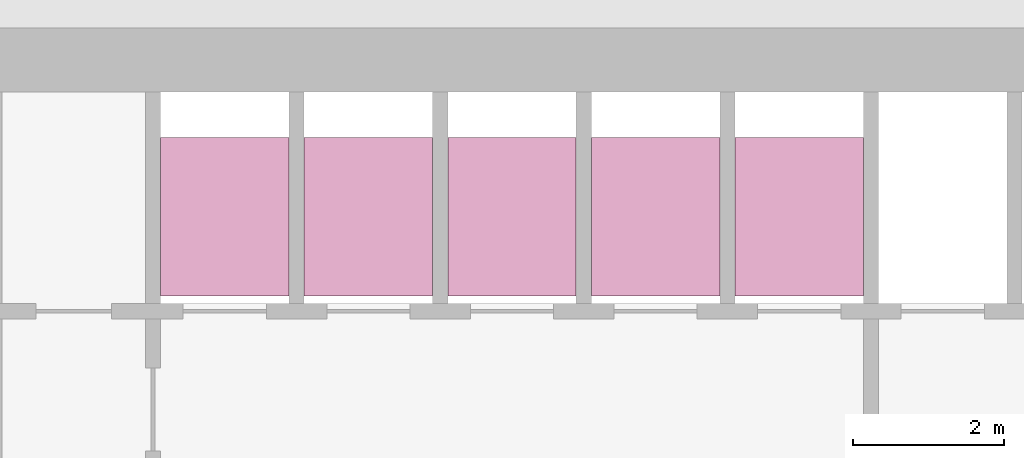
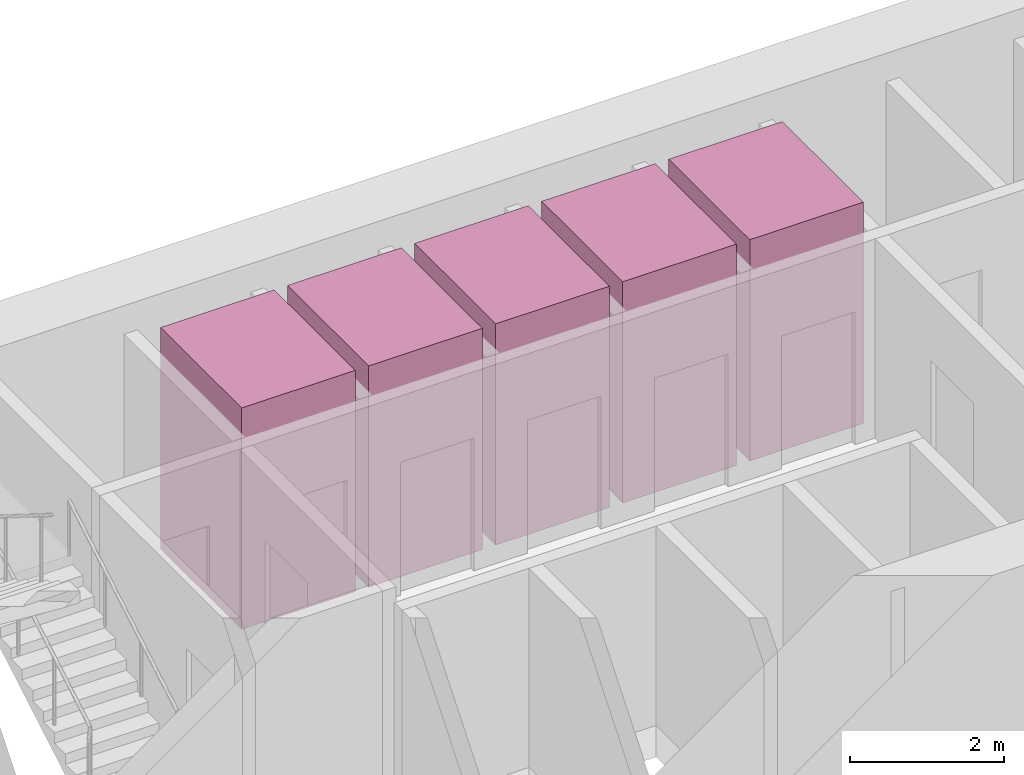
# One storey, part 14 of 14: 5 transport elements.
"""IFC4 building model written with IfcOpenShell, lengths in metres."""

from ifc_helpers import new_model, si_unit, direction, frame, origin, origin_2d, place, context, subcontext, project, spatial, rectangle, extrude, material, type_object, element, save


model = new_model("IFC4")

# Units and contexts
model_context = context("Model", 3, precision=1e-05, world=origin(), true_north=direction((0.0, 1.0)))
body_context = subcontext(model_context, "Body", "Model", "MODEL_VIEW")
ifc_project = project(units=[si_unit("LENGTHUNIT", "METRE"), si_unit("AREAUNIT", "SQUARE_METRE"), si_unit("VOLUMEUNIT", "CUBIC_METRE"), si_unit("PLANEANGLEUNIT", "RADIAN"), si_unit("MASSUNIT", "GRAM", prefix="KILO")], contexts=[model_context])

# Site, building, storey
site_placement = place(None, origin())
site = spatial("IfcSite", under=ifc_project, at=site_placement, CompositionType="ELEMENT")
building_placement = place(site_placement, origin())
building = spatial("IfcBuilding", under=site, at=building_placement, Name="Altiplano Prism Tower", CompositionType="ELEMENT")
storey_placement = place(building_placement, frame((0.0, 0.0, 115.199951171875)))
storey = spatial("IfcBuildingStorey", under=building, at=storey_placement, Name="L29", CompositionType="ELEMENT", Elevation=115.199951171875)

# Transport elements
ifc_material = material(Name="Stainless steel lift car", Category="steel")
transport_element_type = type_object("IfcTransportElementType", Name="Passenger lift car 1600 x 2100", PredefinedType="ELEVATOR", material=ifc_material)
for number, where, z_axis, x_axis, name in (
    (1, (79.050048828125, 101.75, 0.050048828125), (0.0, 0.0, 1.0), (1.0, 0.0, 0.0), "Low Zone Passenger Lift 1"),
    (2, (80.949951171875, 101.75, 0.050048828125), (0.0, 0.0, 1.0), (1.0, 0.0, 0.0), "Low Zone Passenger Lift 2"),
    (3, (82.85009765625, 101.75, 0.050048828125), (0.0, 0.0, 1.0), (1.0, 0.0, 0.0), "Low Zone Passenger Lift 3"),
    (4, (84.75, 101.75, 0.050048828125), (0.0, 0.0, 1.0), (1.0, 0.0, 0.0), "Low Zone Passenger Lift 4"),
    (5, (86.64990234375, 101.75, 0.050048828125), (0.0, 0.0, 1.0), (1.0, 0.0, 0.0), "Low Zone Passenger Lift 5"),
):
    element("IfcTransportElement", number, at=place(storey_placement, frame(where, z_axis=z_axis, x_axis=x_axis)), inside=storey, type_object=transport_element_type, Name=name, PredefinedType="ELEVATOR", context=body_context, shape_type="SweptSolid", body=[
        extrude(rectangle(XDim=1.699951171875, YDim=2.10009765625, at=origin_2d()), origin(), (0.0, 0.0, 1.0), 3.5),
    ])

save(model, "model.ifc")
